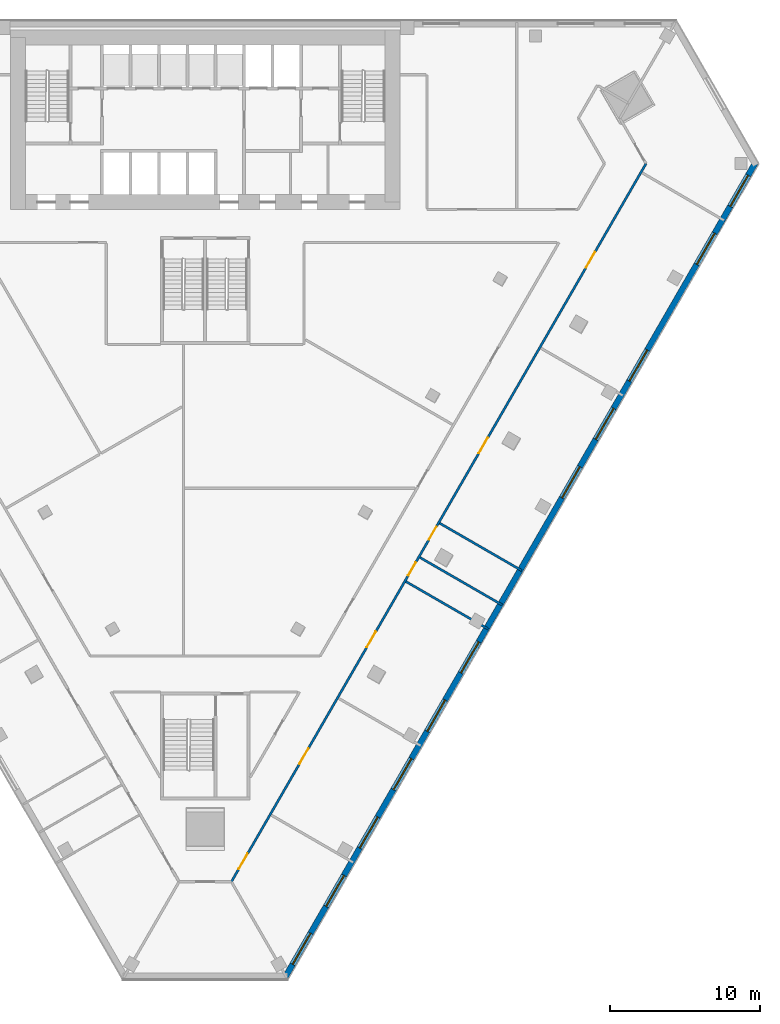
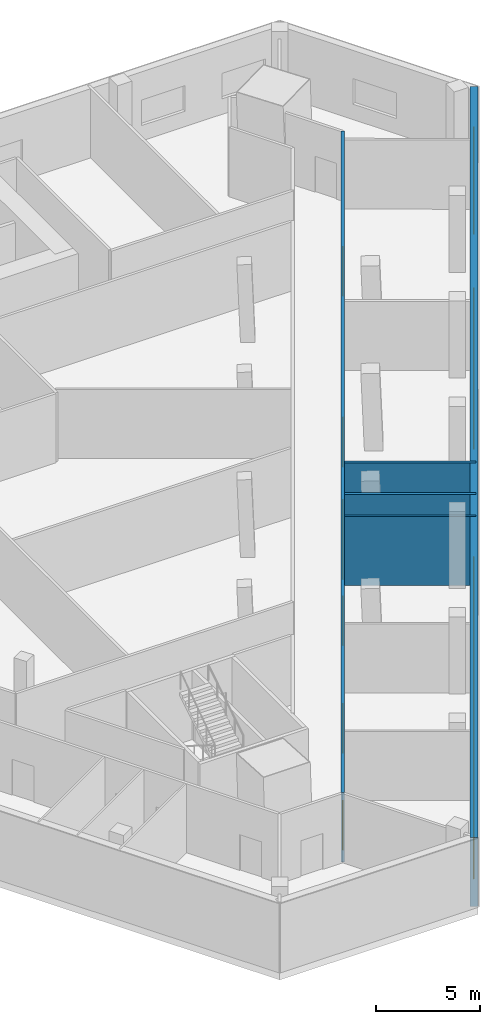
# One storey, part 3 of 9: 11 windows, 7 doors, 5 walls, 18 openings.
"""IFC4 building model written with IfcOpenShell, lengths in metres."""

from ifc_helpers import new_model, si_unit, direction, frame, frame_2d, origin, place, context, subcontext, project, spatial, rectangle, extrude, material, layer, layer_set, type_object, element, fill, save


model = new_model("IFC4")

# Units and contexts
model_context = context("Model", 3, precision=1e-05, world=origin(), true_north=direction((0.0, 1.0)))
body_context = subcontext(model_context, "Body", "Model", "MODEL_VIEW")
ifc_project = project(units=[si_unit("LENGTHUNIT", "METRE"), si_unit("AREAUNIT", "SQUARE_METRE"), si_unit("VOLUMEUNIT", "CUBIC_METRE"), si_unit("PLANEANGLEUNIT", "RADIAN"), si_unit("MASSUNIT", "GRAM", prefix="KILO")], contexts=[model_context])

# Site, building, storey
site_placement = place(None, origin())
site = spatial("IfcSite", under=ifc_project, at=site_placement, CompositionType="ELEMENT")
building_placement = place(site_placement, origin())
building = spatial("IfcBuilding", under=site, at=building_placement, Name="Altiplano Prism Tower", CompositionType="ELEMENT")
storey_placement = place(building_placement, frame((0.0, 0.0, 9.0)))
storey = spatial("IfcBuildingStorey", under=building, at=storey_placement, Name="L01", CompositionType="ELEMENT", Elevation=9.0)

# Wall, openings, doors
ifc_material_1 = material(Name="Plasterboard on steel stud", Category="steel")
ifc_layer_1 = layer(ifc_material_1, 0.14990234375)
ifc_layer_set_1 = layer_set([ifc_layer_1], Name="Plasterboard on steel stud")
wall_type_1 = type_object("IfcWallType", Name="Partition 150 corridor", PredefinedType="PARTITIONING", material=ifc_layer_set_1)
wall_1_placement = place(storey_placement, frame((86.747314453125, 47.5263671875, 0.0), z_axis=(0.0, 0.0, 1.0), x_axis=(0.500000085768, 0.866025354266, 0.0)))
wall_1 = element("IfcWall", 1, at=wall_1_placement, inside=storey, type_object=wall_type_1, Name="Partition P06 L01 005", PredefinedType="PARTITIONING", context=body_context, shape_type="SweptSolid", body=[
    extrude(rectangle(XDim=55.36474609375, YDim=0.14990234375, at=frame_2d((27.682373046875, 0.0))), origin(), (0.0, 0.0, 1.0), 4.050048828125),
])
opening_1_placement = place(wall_1_placement, frame((0.969970703125, 0.0, 0.0)))
opening_1 = element("IfcOpeningElement", 2, at=opening_1_placement, cuts=wall_1, Name="Opening D0031", PredefinedType="OPENING", context=body_context, shape_type="SweptSolid", body=[
    extrude(rectangle(XDim=1.199951171875, YDim=2.10009765625, at=frame_2d((0.60009765625, 1.050048828125))), frame((0.0, 0.08544921875, 0.0), z_axis=(0.0, -1.0, 0.0), x_axis=(1.0, 0.0, 0.0)), (0.0, 0.0, 1.0), 0.1708984375),
])
opening_2_placement = place(wall_1_placement, frame((9.08203125, 0.0, 0.0)))
opening_2 = element("IfcOpeningElement", 3, at=opening_2_placement, cuts=wall_1, Name="Opening D0032", PredefinedType="OPENING", context=body_context, shape_type="SweptSolid", body=[
    extrude(rectangle(XDim=1.199951171875, YDim=2.10009765625, at=frame_2d((0.60009765625, 1.050048828125))), frame((0.0, 0.08544921875, 0.0), z_axis=(0.0, -1.0, 0.0), x_axis=(1.0, 0.0, 0.0)), (0.0, 0.0, 1.0), 0.1708984375),
])
opening_3_placement = place(wall_1_placement, frame((18.08203125, 0.0, 0.0)))
opening_3 = element("IfcOpeningElement", 4, at=opening_3_placement, cuts=wall_1, Name="Opening D0033", PredefinedType="OPENING", context=body_context, shape_type="SweptSolid", body=[
    extrude(rectangle(XDim=1.199951171875, YDim=2.10009765625, at=frame_2d((0.60009765625, 1.050048828125))), frame((0.0, 0.08544921875, 0.0), z_axis=(0.0, -1.0, 0.0), x_axis=(1.0, 0.0, 0.0)), (0.0, 0.0, 1.0), 0.1708984375),
])
opening_4_placement = place(wall_1_placement, frame((23.613037109375, 0.0, 0.0)))
opening_4 = element("IfcOpeningElement", 5, at=opening_4_placement, cuts=wall_1, Name="Opening D0034", PredefinedType="OPENING", context=body_context, shape_type="SweptSolid", body=[
    extrude(rectangle(XDim=1.0, YDim=2.10009765625, at=frame_2d((0.5, 1.050048828125))), frame((0.0, 0.08544921875, 0.0), z_axis=(0.0, -1.0, 0.0), x_axis=(1.0, 0.0, 0.0)), (0.0, 0.0, 1.0), 0.1708984375),
])
opening_5_placement = place(wall_1_placement, frame((26.363037109375, 0.0, 0.0)))
opening_5 = element("IfcOpeningElement", 6, at=opening_5_placement, cuts=wall_1, Name="Opening D0035", PredefinedType="OPENING", context=body_context, shape_type="SweptSolid", body=[
    extrude(rectangle(XDim=1.0, YDim=2.10009765625, at=frame_2d((0.5, 1.050048828125))), frame((0.0, 0.08544921875, 0.0), z_axis=(0.0, -1.0, 0.0), x_axis=(1.0, 0.0, 0.0)), (0.0, 0.0, 1.0), 0.1708984375),
])
opening_6_placement = place(wall_1_placement, frame((33.031982421875, 0.0, 0.0)))
opening_6 = element("IfcOpeningElement", 7, at=opening_6_placement, cuts=wall_1, Name="Opening D0036", PredefinedType="OPENING", context=body_context, shape_type="SweptSolid", body=[
    extrude(rectangle(XDim=1.199951171875, YDim=2.10009765625, at=frame_2d((0.60009765625, 1.050048828125))), frame((0.0, 0.08544921875, 0.0), z_axis=(0.0, -1.0, 0.0), x_axis=(1.0, 0.0, 0.0)), (0.0, 0.0, 1.0), 0.1708984375),
])
opening_7_placement = place(wall_1_placement, frame((47.3369140625, 0.0, 0.0)))
opening_7 = element("IfcOpeningElement", 8, at=opening_7_placement, cuts=wall_1, Name="Opening D0037", PredefinedType="OPENING", context=body_context, shape_type="SweptSolid", body=[
    extrude(rectangle(XDim=1.199951171875, YDim=2.10009765625, at=frame_2d((0.60009765625, 1.050048828125))), frame((0.0, 0.08544921875, 0.0), z_axis=(0.0, -1.0, 0.0), x_axis=(1.0, 0.0, 0.0)), (0.0, 0.0, 1.0), 0.1708984375),
])
ifc_material_2 = material(Name="Timber", Category="wood")
door_type_1 = type_object("IfcDoorType", Name="Shared room door 1200 x 2100", OperationType="NOTDEFINED", PredefinedType="NOTDEFINED", material=ifc_material_2)
door_1_placement = place(opening_1_placement, origin())
door_1 = element("IfcDoor", 9, at=door_1_placement, inside=storey, type_object=door_type_1, Name="Door D0031", OperationType="SINGLE_SWING_LEFT", OverallHeight=2.10009765625, OverallWidth=1.199951171875, PredefinedType="NOTDEFINED", context=body_context, shape_type="SweptSolid", body=[
    extrude(rectangle(XDim=1.199951171875, YDim=2.10009765625, at=frame_2d((0.60009765625, 1.050048828125))), frame((0.0, 0.02490234375, 0.0), z_axis=(0.0, -1.0, 0.0), x_axis=(1.0, 0.0, 0.0)), (0.0, 0.0, 1.0), 0.050048828125),
])
fill(opening_1, door_1)
door_2_placement = place(opening_2_placement, origin())
door_2 = element("IfcDoor", 10, at=door_2_placement, inside=storey, type_object=door_type_1, Name="Door D0032", OperationType="SINGLE_SWING_RIGHT", OverallHeight=2.10009765625, OverallWidth=1.199951171875, PredefinedType="NOTDEFINED", context=body_context, shape_type="SweptSolid", body=[
    extrude(rectangle(XDim=1.199951171875, YDim=2.10009765625, at=frame_2d((0.60009765625, 1.050048828125))), frame((0.0, 0.02490234375, 0.0), z_axis=(0.0, -1.0, 0.0), x_axis=(1.0, 0.0, 0.0)), (0.0, 0.0, 1.0), 0.050048828125),
])
fill(opening_2, door_2)
door_3_placement = place(opening_3_placement, origin())
door_3 = element("IfcDoor", 11, at=door_3_placement, inside=storey, type_object=door_type_1, Name="Door D0033", OperationType="SINGLE_SWING_LEFT", OverallHeight=2.10009765625, OverallWidth=1.199951171875, PredefinedType="NOTDEFINED", context=body_context, shape_type="SweptSolid", body=[
    extrude(rectangle(XDim=1.199951171875, YDim=2.10009765625, at=frame_2d((0.60009765625, 1.050048828125))), frame((0.0, 0.02490234375, 0.0), z_axis=(0.0, -1.0, 0.0), x_axis=(1.0, 0.0, 0.0)), (0.0, 0.0, 1.0), 0.050048828125),
])
fill(opening_3, door_3)
door_4_placement = place(opening_6_placement, origin())
door_4 = element("IfcDoor", 12, at=door_4_placement, inside=storey, type_object=door_type_1, Name="Door D0036", OperationType="SINGLE_SWING_LEFT", OverallHeight=2.10009765625, OverallWidth=1.199951171875, PredefinedType="NOTDEFINED", context=body_context, shape_type="SweptSolid", body=[
    extrude(rectangle(XDim=1.199951171875, YDim=2.10009765625, at=frame_2d((0.60009765625, 1.050048828125))), frame((0.0, 0.02490234375, 0.0), z_axis=(0.0, -1.0, 0.0), x_axis=(1.0, 0.0, 0.0)), (0.0, 0.0, 1.0), 0.050048828125),
])
fill(opening_6, door_4)
door_5_placement = place(opening_7_placement, origin())
door_5 = element("IfcDoor", 13, at=door_5_placement, inside=storey, type_object=door_type_1, Name="Door D0037", OperationType="SINGLE_SWING_RIGHT", OverallHeight=2.10009765625, OverallWidth=1.199951171875, PredefinedType="NOTDEFINED", context=body_context, shape_type="SweptSolid", body=[
    extrude(rectangle(XDim=1.199951171875, YDim=2.10009765625, at=frame_2d((0.60009765625, 1.050048828125))), frame((0.0, 0.02490234375, 0.0), z_axis=(0.0, -1.0, 0.0), x_axis=(1.0, 0.0, 0.0)), (0.0, 0.0, 1.0), 0.050048828125),
])
fill(opening_7, door_5)
door_type_2 = type_object("IfcDoorType", Name="Store door 1000 x 2100", OperationType="NOTDEFINED", PredefinedType="NOTDEFINED", material=ifc_material_2)
door_6_placement = place(opening_4_placement, origin())
door_6 = element("IfcDoor", 14, at=door_6_placement, inside=storey, type_object=door_type_2, Name="Door D0034", OperationType="SINGLE_SWING_RIGHT", OverallHeight=2.10009765625, OverallWidth=1.0, PredefinedType="NOTDEFINED", context=body_context, shape_type="SweptSolid", body=[
    extrude(rectangle(XDim=1.0, YDim=2.10009765625, at=frame_2d((0.5, 1.050048828125))), frame((0.0, 0.02490234375, 0.0), z_axis=(0.0, -1.0, 0.0), x_axis=(1.0, 0.0, 0.0)), (0.0, 0.0, 1.0), 0.050048828125),
])
fill(opening_4, door_6)
door_7_placement = place(opening_5_placement, origin())
door_7 = element("IfcDoor", 15, at=door_7_placement, inside=storey, type_object=door_type_2, Name="Door D0035", OperationType="SINGLE_SWING_RIGHT", OverallHeight=2.10009765625, OverallWidth=1.0, PredefinedType="NOTDEFINED", context=body_context, shape_type="SweptSolid", body=[
    extrude(rectangle(XDim=1.0, YDim=2.10009765625, at=frame_2d((0.5, 1.050048828125))), frame((0.0, 0.02490234375, 0.0), z_axis=(0.0, -1.0, 0.0), x_axis=(1.0, 0.0, 0.0)), (0.0, 0.0, 1.0), 0.050048828125),
])
fill(opening_5, door_7)

# Walls
ifc_layer_2 = layer(ifc_material_1, 0.14990234375)
ifc_layer_set_2 = layer_set([ifc_layer_2], Name="Plasterboard on steel stud")
wall_type_2 = type_object("IfcWallType", Name="Partition 150 party", PredefinedType="PARTITIONING", material=ifc_layer_set_2)
wall_2_placement = place(storey_placement, frame((103.881103515625, 64.40283203125, 0.0), z_axis=(0.0, 0.0, 1.0), x_axis=(-0.866025537322, 0.499999768706, 0.0)))
element("IfcWall", 16, at=wall_2_placement, inside=storey, type_object=wall_type_2, Name="Partition P01 L01 047", PredefinedType="PARTITIONING", context=body_context, shape_type="SweptSolid", body=[
    extrude(rectangle(XDim=6.3251953125, YDim=0.14990234375, at=frame_2d((3.16259765625, 0.0))), origin(), (0.0, 0.0, 1.0), 4.050048828125),
])
wall_3_placement = place(storey_placement, frame((104.81103515625, 66.013916015625, 0.0), z_axis=(0.0, 0.0, 1.0), x_axis=(-0.866032601554, 0.49998753289, 0.0)))
element("IfcWall", 17, at=wall_3_placement, inside=storey, type_object=wall_type_2, Name="Partition P01 L01 048", PredefinedType="PARTITIONING", context=body_context, shape_type="SweptSolid", body=[
    extrude(rectangle(XDim=6.324951171875, YDim=0.14990234375, at=frame_2d((3.16259765625, 0.0))), origin(), (0.0, 0.0, 1.0), 4.050048828125),
])
wall_4_placement = place(storey_placement, frame((106.131103515625, 68.300048828125, 0.0), z_axis=(0.0, 0.0, 1.0), x_axis=(-0.866042250622, 0.499970819286, 0.0)))
element("IfcWall", 18, at=wall_4_placement, inside=storey, type_object=wall_type_2, Name="Partition P01 L01 049", PredefinedType="PARTITIONING", context=body_context, shape_type="SweptSolid", body=[
    extrude(rectangle(XDim=6.3251953125, YDim=0.14990234375, at=frame_2d((3.16259765625, 0.0))), origin(), (0.0, 0.0, 1.0), 4.050048828125),
])

# Wall, openings, windows
ifc_material_3 = material(Name="Concrete C40", Category="concrete")
ifc_layer_3 = layer(ifc_material_3, 0.39990234375)
ifc_layer_set_3 = layer_set([ifc_layer_3], Name="Concrete C40")
wall_type_3 = type_object("IfcWallType", Name="Stone-clad podium wall 400", PredefinedType="SOLIDWALL", material=ifc_layer_set_3)
wall_5_placement = place(storey_placement, frame((121.761962890625, 95.57373046875, 0.0), z_axis=(0.0, 0.0, 1.0), x_axis=(-0.499997306052, -0.866026959131, 0.0)))
wall_5 = element("IfcWall", 19, at=wall_5_placement, inside=storey, type_object=wall_type_3, Name="External wall south-east face L01", PredefinedType="SOLIDWALL", context=body_context, shape_type="SweptSolid", body=[
    extrude(rectangle(XDim=62.870361328125, YDim=0.39990234375, at=frame_2d((31.43505859375, 0.0))), origin(), (0.0, 0.0, 1.0), 4.050048828125),
])
opening_8_placement = place(wall_5_placement, frame((59.452392578125, 0.0, 0.89990234375)))
opening_8 = element("IfcOpeningElement", 20, at=opening_8_placement, cuts=wall_5, Name="Opening W1", PredefinedType="OPENING", context=body_context, shape_type="SweptSolid", body=[
    extrude(rectangle(XDim=2.39990234375, YDim=1.5, at=frame_2d((1.199951171875, 0.75))), frame((0.0, 0.21044921875, 0.0), z_axis=(0.0, -1.0, 0.0), x_axis=(1.0, 0.0, 0.0)), (0.0, 0.0, 1.0), 0.4208984375),
])
opening_9_placement = place(wall_5_placement, frame((54.985595703125, 0.0, 0.89990234375)))
opening_9 = element("IfcOpeningElement", 21, at=opening_9_placement, cuts=wall_5, Name="Opening W1", PredefinedType="OPENING", context=body_context, shape_type="SweptSolid", body=[
    extrude(rectangle(XDim=2.39990234375, YDim=1.5, at=frame_2d((1.199951171875, 0.75))), frame((0.0, 0.21044921875, 0.0), z_axis=(0.0, -1.0, 0.0), x_axis=(1.0, 0.0, 0.0)), (0.0, 0.0, 1.0), 0.4208984375),
])
opening_10_placement = place(wall_5_placement, frame((50.485595703125, 0.0, 0.89990234375)))
opening_10 = element("IfcOpeningElement", 22, at=opening_10_placement, cuts=wall_5, Name="Opening W1", PredefinedType="OPENING", context=body_context, shape_type="SweptSolid", body=[
    extrude(rectangle(XDim=2.39990234375, YDim=1.5, at=frame_2d((1.199951171875, 0.75))), frame((0.0, 0.21044921875, 0.0), z_axis=(0.0, -1.0, 0.0), x_axis=(1.0, 0.0, 0.0)), (0.0, 0.0, 1.0), 0.4208984375),
])
opening_11_placement = place(wall_5_placement, frame((45.985595703125, 0.0, 0.89990234375)))
opening_11 = element("IfcOpeningElement", 23, at=opening_11_placement, cuts=wall_5, Name="Opening W1", PredefinedType="OPENING", context=body_context, shape_type="SweptSolid", body=[
    extrude(rectangle(XDim=2.39990234375, YDim=1.5, at=frame_2d((1.199951171875, 0.75))), frame((0.0, 0.21044921875, 0.0), z_axis=(0.0, -1.0, 0.0), x_axis=(1.0, 0.0, 0.0)), (0.0, 0.0, 1.0), 0.4208984375),
])
opening_12_placement = place(wall_5_placement, frame((41.485595703125, 0.0, 0.89990234375)))
opening_12 = element("IfcOpeningElement", 24, at=opening_12_placement, cuts=wall_5, Name="Opening W1", PredefinedType="OPENING", context=body_context, shape_type="SweptSolid", body=[
    extrude(rectangle(XDim=2.39990234375, YDim=1.5, at=frame_2d((1.199951171875, 0.75))), frame((0.0, 0.21044921875, 0.0), z_axis=(0.0, -1.0, 0.0), x_axis=(1.0, 0.0, 0.0)), (0.0, 0.0, 1.0), 0.4208984375),
])
opening_13_placement = place(wall_5_placement, frame((36.985595703125, 0.0, 0.89990234375)))
opening_13 = element("IfcOpeningElement", 25, at=opening_13_placement, cuts=wall_5, Name="Opening W1", PredefinedType="OPENING", context=body_context, shape_type="SweptSolid", body=[
    extrude(rectangle(XDim=2.39990234375, YDim=1.5, at=frame_2d((1.199951171875, 0.75))), frame((0.0, 0.21044921875, 0.0), z_axis=(0.0, -1.0, 0.0), x_axis=(1.0, 0.0, 0.0)), (0.0, 0.0, 1.0), 0.4208984375),
])
opening_14_placement = place(wall_5_placement, frame((23.485595703125, 0.0, 0.89990234375)))
opening_14 = element("IfcOpeningElement", 26, at=opening_14_placement, cuts=wall_5, Name="Opening W1", PredefinedType="OPENING", context=body_context, shape_type="SweptSolid", body=[
    extrude(rectangle(XDim=2.39990234375, YDim=1.5, at=frame_2d((1.199951171875, 0.75))), frame((0.0, 0.21044921875, 0.0), z_axis=(0.0, -1.0, 0.0), x_axis=(1.0, 0.0, 0.0)), (0.0, 0.0, 1.0), 0.4208984375),
])
opening_15_placement = place(wall_5_placement, frame((18.985595703125, 0.0, 0.89990234375)))
opening_15 = element("IfcOpeningElement", 27, at=opening_15_placement, cuts=wall_5, Name="Opening W1", PredefinedType="OPENING", context=body_context, shape_type="SweptSolid", body=[
    extrude(rectangle(XDim=2.39990234375, YDim=1.5, at=frame_2d((1.199951171875, 0.75))), frame((0.0, 0.21044921875, 0.0), z_axis=(0.0, -1.0, 0.0), x_axis=(1.0, 0.0, 0.0)), (0.0, 0.0, 1.0), 0.4208984375),
])
opening_16_placement = place(wall_5_placement, frame((14.485595703125, 0.0, 0.89990234375)))
opening_16 = element("IfcOpeningElement", 28, at=opening_16_placement, cuts=wall_5, Name="Opening W1", PredefinedType="OPENING", context=body_context, shape_type="SweptSolid", body=[
    extrude(rectangle(XDim=2.39990234375, YDim=1.5, at=frame_2d((1.199951171875, 0.75))), frame((0.0, 0.21044921875, 0.0), z_axis=(0.0, -1.0, 0.0), x_axis=(1.0, 0.0, 0.0)), (0.0, 0.0, 1.0), 0.4208984375),
])
opening_17_placement = place(wall_5_placement, frame((5.485595703125, 0.0, 0.89990234375)))
opening_17 = element("IfcOpeningElement", 29, at=opening_17_placement, cuts=wall_5, Name="Opening W1", PredefinedType="OPENING", context=body_context, shape_type="SweptSolid", body=[
    extrude(rectangle(XDim=2.39990234375, YDim=1.5, at=frame_2d((1.199951171875, 0.75))), frame((0.0, 0.21044921875, 0.0), z_axis=(0.0, -1.0, 0.0), x_axis=(1.0, 0.0, 0.0)), (0.0, 0.0, 1.0), 0.4208984375),
])
opening_18_placement = place(wall_5_placement, frame((1.017578125, 0.0, 0.89990234375)))
opening_18 = element("IfcOpeningElement", 30, at=opening_18_placement, cuts=wall_5, Name="Opening W1", PredefinedType="OPENING", context=body_context, shape_type="SweptSolid", body=[
    extrude(rectangle(XDim=2.39990234375, YDim=1.5, at=frame_2d((1.199951171875, 0.75))), frame((0.0, 0.21044921875, 0.0), z_axis=(0.0, -1.0, 0.0), x_axis=(1.0, 0.0, 0.0)), (0.0, 0.0, 1.0), 0.4208984375),
])
ifc_material_4 = material(Name="Glass", Category="glass")
window_type = type_object("IfcWindowType", Name="Window 2400 x 1500", PartitioningType="SINGLE_PANEL", PredefinedType="WINDOW", material=ifc_material_4)
window_1_placement = place(opening_8_placement, origin())
window_1 = element("IfcWindow", 31, at=window_1_placement, inside=storey, type_object=window_type, Name="Podium window L01", OverallHeight=1.5, OverallWidth=2.39990234375, PartitioningType="SINGLE_PANEL", PredefinedType="WINDOW", context=body_context, shape_type="SweptSolid", body=[
    extrude(rectangle(XDim=2.39990234375, YDim=1.5, at=frame_2d((1.199951171875, 0.75))), frame((0.0, 0.030029296875, 0.0), z_axis=(0.0, -1.0, 0.0), x_axis=(1.0, 0.0, 0.0)), (0.0, 0.0, 1.0), 0.06005859375),
])
fill(opening_8, window_1)
window_2_placement = place(opening_9_placement, origin())
window_2 = element("IfcWindow", 32, at=window_2_placement, inside=storey, type_object=window_type, Name="Podium window L01", OverallHeight=1.5, OverallWidth=2.39990234375, PartitioningType="SINGLE_PANEL", PredefinedType="WINDOW", context=body_context, shape_type="SweptSolid", body=[
    extrude(rectangle(XDim=2.39990234375, YDim=1.5, at=frame_2d((1.199951171875, 0.75))), frame((0.0, 0.030029296875, 0.0), z_axis=(0.0, -1.0, 0.0), x_axis=(1.0, 0.0, 0.0)), (0.0, 0.0, 1.0), 0.06005859375),
])
fill(opening_9, window_2)
window_3_placement = place(opening_10_placement, origin())
window_3 = element("IfcWindow", 33, at=window_3_placement, inside=storey, type_object=window_type, Name="Podium window L01", OverallHeight=1.5, OverallWidth=2.39990234375, PartitioningType="SINGLE_PANEL", PredefinedType="WINDOW", context=body_context, shape_type="SweptSolid", body=[
    extrude(rectangle(XDim=2.39990234375, YDim=1.5, at=frame_2d((1.199951171875, 0.75))), frame((0.0, 0.030029296875, 0.0), z_axis=(0.0, -1.0, 0.0), x_axis=(1.0, 0.0, 0.0)), (0.0, 0.0, 1.0), 0.06005859375),
])
fill(opening_10, window_3)
window_4_placement = place(opening_11_placement, origin())
window_4 = element("IfcWindow", 34, at=window_4_placement, inside=storey, type_object=window_type, Name="Podium window L01", OverallHeight=1.5, OverallWidth=2.39990234375, PartitioningType="SINGLE_PANEL", PredefinedType="WINDOW", context=body_context, shape_type="SweptSolid", body=[
    extrude(rectangle(XDim=2.39990234375, YDim=1.5, at=frame_2d((1.199951171875, 0.75))), frame((0.0, 0.030029296875, 0.0), z_axis=(0.0, -1.0, 0.0), x_axis=(1.0, 0.0, 0.0)), (0.0, 0.0, 1.0), 0.06005859375),
])
fill(opening_11, window_4)
window_5_placement = place(opening_12_placement, origin())
window_5 = element("IfcWindow", 35, at=window_5_placement, inside=storey, type_object=window_type, Name="Podium window L01", OverallHeight=1.5, OverallWidth=2.39990234375, PartitioningType="SINGLE_PANEL", PredefinedType="WINDOW", context=body_context, shape_type="SweptSolid", body=[
    extrude(rectangle(XDim=2.39990234375, YDim=1.5, at=frame_2d((1.199951171875, 0.75))), frame((0.0, 0.030029296875, 0.0), z_axis=(0.0, -1.0, 0.0), x_axis=(1.0, 0.0, 0.0)), (0.0, 0.0, 1.0), 0.06005859375),
])
fill(opening_12, window_5)
window_6_placement = place(opening_13_placement, origin())
window_6 = element("IfcWindow", 36, at=window_6_placement, inside=storey, type_object=window_type, Name="Podium window L01", OverallHeight=1.5, OverallWidth=2.39990234375, PartitioningType="SINGLE_PANEL", PredefinedType="WINDOW", context=body_context, shape_type="SweptSolid", body=[
    extrude(rectangle(XDim=2.39990234375, YDim=1.5, at=frame_2d((1.199951171875, 0.75))), frame((0.0, 0.030029296875, 0.0), z_axis=(0.0, -1.0, 0.0), x_axis=(1.0, 0.0, 0.0)), (0.0, 0.0, 1.0), 0.06005859375),
])
fill(opening_13, window_6)
window_7_placement = place(opening_14_placement, origin())
window_7 = element("IfcWindow", 37, at=window_7_placement, inside=storey, type_object=window_type, Name="Podium window L01", OverallHeight=1.5, OverallWidth=2.39990234375, PartitioningType="SINGLE_PANEL", PredefinedType="WINDOW", context=body_context, shape_type="SweptSolid", body=[
    extrude(rectangle(XDim=2.39990234375, YDim=1.5, at=frame_2d((1.199951171875, 0.75))), frame((0.0, 0.030029296875, 0.0), z_axis=(0.0, -1.0, 0.0), x_axis=(1.0, 0.0, 0.0)), (0.0, 0.0, 1.0), 0.06005859375),
])
fill(opening_14, window_7)
window_8_placement = place(opening_15_placement, origin())
window_8 = element("IfcWindow", 38, at=window_8_placement, inside=storey, type_object=window_type, Name="Podium window L01", OverallHeight=1.5, OverallWidth=2.39990234375, PartitioningType="SINGLE_PANEL", PredefinedType="WINDOW", context=body_context, shape_type="SweptSolid", body=[
    extrude(rectangle(XDim=2.39990234375, YDim=1.5, at=frame_2d((1.199951171875, 0.75))), frame((0.0, 0.030029296875, 0.0), z_axis=(0.0, -1.0, 0.0), x_axis=(1.0, 0.0, 0.0)), (0.0, 0.0, 1.0), 0.06005859375),
])
fill(opening_15, window_8)
window_9_placement = place(opening_16_placement, origin())
window_9 = element("IfcWindow", 39, at=window_9_placement, inside=storey, type_object=window_type, Name="Podium window L01", OverallHeight=1.5, OverallWidth=2.39990234375, PartitioningType="SINGLE_PANEL", PredefinedType="WINDOW", context=body_context, shape_type="SweptSolid", body=[
    extrude(rectangle(XDim=2.39990234375, YDim=1.5, at=frame_2d((1.199951171875, 0.75))), frame((0.0, 0.030029296875, 0.0), z_axis=(0.0, -1.0, 0.0), x_axis=(1.0, 0.0, 0.0)), (0.0, 0.0, 1.0), 0.06005859375),
])
fill(opening_16, window_9)
window_10_placement = place(opening_17_placement, origin())
window_10 = element("IfcWindow", 40, at=window_10_placement, inside=storey, type_object=window_type, Name="Podium window L01", OverallHeight=1.5, OverallWidth=2.39990234375, PartitioningType="SINGLE_PANEL", PredefinedType="WINDOW", context=body_context, shape_type="SweptSolid", body=[
    extrude(rectangle(XDim=2.39990234375, YDim=1.5, at=frame_2d((1.199951171875, 0.75))), frame((0.0, 0.030029296875, 0.0), z_axis=(0.0, -1.0, 0.0), x_axis=(1.0, 0.0, 0.0)), (0.0, 0.0, 1.0), 0.06005859375),
])
fill(opening_17, window_10)
window_11_placement = place(opening_18_placement, origin())
window_11 = element("IfcWindow", 41, at=window_11_placement, inside=storey, type_object=window_type, Name="Podium window L01", OverallHeight=1.5, OverallWidth=2.39990234375, PartitioningType="SINGLE_PANEL", PredefinedType="WINDOW", context=body_context, shape_type="SweptSolid", body=[
    extrude(rectangle(XDim=2.39990234375, YDim=1.5, at=frame_2d((1.199951171875, 0.75))), frame((0.0, 0.030029296875, 0.0), z_axis=(0.0, -1.0, 0.0), x_axis=(1.0, 0.0, 0.0)), (0.0, 0.0, 1.0), 0.06005859375),
])
fill(opening_18, window_11)

save(model, "model.ifc")
